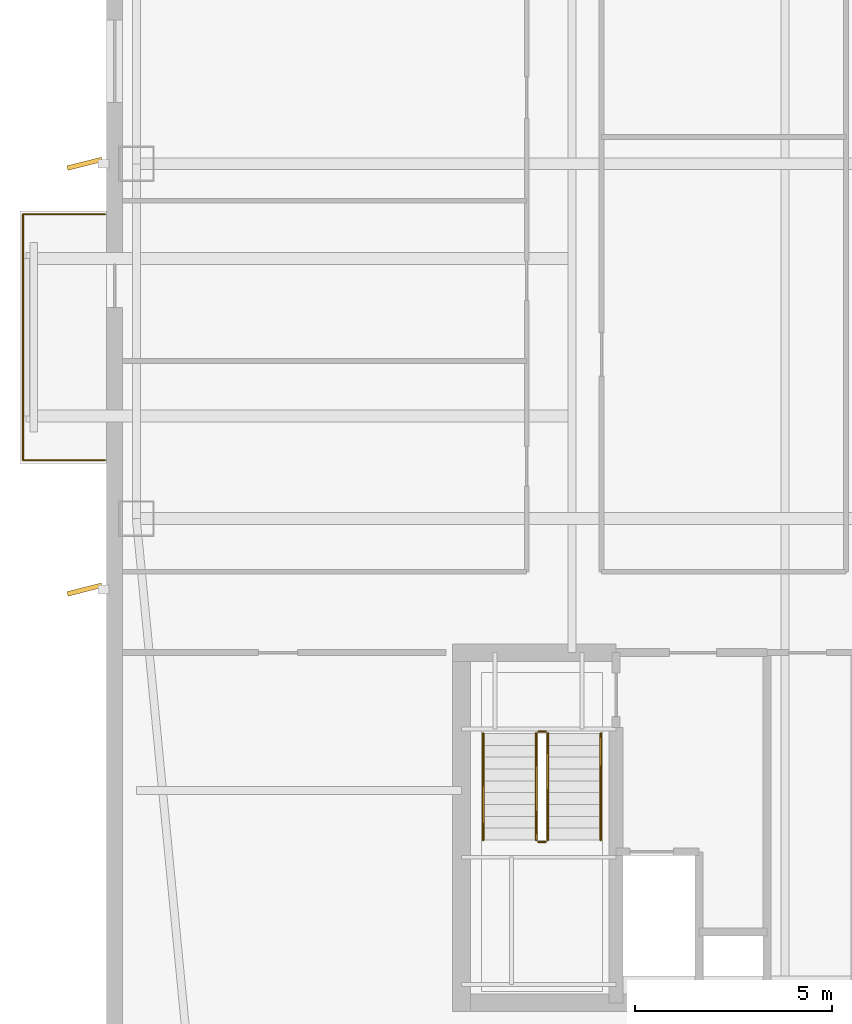
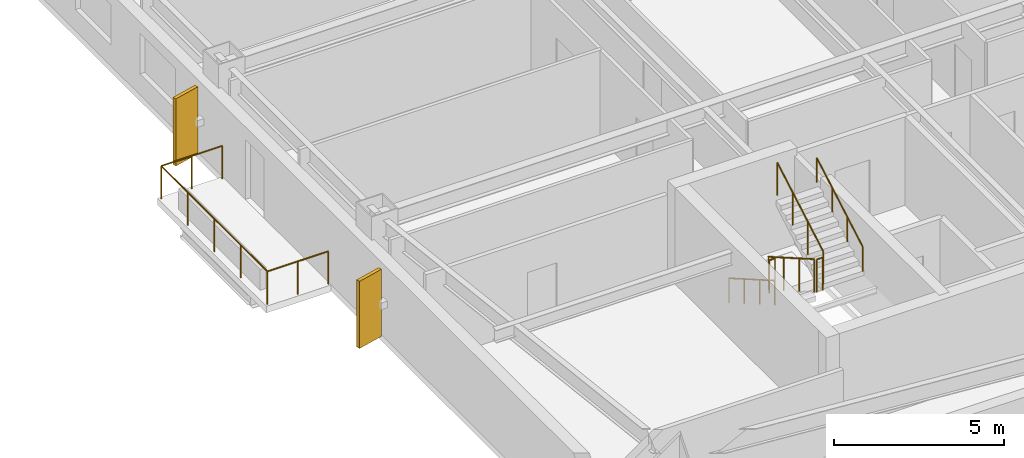
# One storey, part 14 of 18: 7 railings, 2 shading devices.
"""IFC4 building model written with IfcOpenShell, lengths in metres."""

from ifc_helpers import new_model, si_unit, direction, frame, origin, origin_2d, place, context, subcontext, project, spatial, rectangle, circle, extrude, material, layer, layer_set, type_object, element, save


model = new_model("IFC4")

# Units and contexts
model_context = context("Model", 3, precision=1e-05, world=origin(), true_north=direction((0.0, 1.0)))
body_context = subcontext(model_context, "Body", "Model", "MODEL_VIEW")
ifc_project = project(units=[si_unit("LENGTHUNIT", "METRE"), si_unit("AREAUNIT", "SQUARE_METRE"), si_unit("VOLUMEUNIT", "CUBIC_METRE"), si_unit("PLANEANGLEUNIT", "RADIAN"), si_unit("MASSUNIT", "GRAM", prefix="KILO")], contexts=[model_context])

# Site, building, storey
site_placement = place(None, origin())
site = spatial("IfcSite", under=ifc_project, at=site_placement, CompositionType="ELEMENT")
building_placement = place(site_placement, origin())
building = spatial("IfcBuilding", under=site, at=building_placement, Name="Qiaolan Cultural Towers", CompositionType="ELEMENT")
storey_placement = place(building_placement, frame((0.0, 0.0, 195.5)))
storey = spatial("IfcBuildingStorey", under=building, at=storey_placement, Name="L52", CompositionType="ELEMENT", Elevation=195.5)

# Railings
ifc_material_1 = material(Name="Laminated SentryGlas & Stainless Steel S31608 Balustrade", Category="steel")
railing_type_1 = type_object("IfcRailingType", Name="GRD-TERR-1200", PredefinedType="BALUSTRADE", material=ifc_material_1)
railing_1_placement = place(storey_placement, frame((12.75, 26.47998046875, 0.0)))
element("IfcRailing", 1, at=railing_1_placement, inside=storey, type_object=railing_type_1, Name="L52 T1 Tree Balcony Guardrail W", PredefinedType="BALUSTRADE", context=body_context, shape_type="SweptSolid", body=[
    extrude(circle(Radius=0.02392578125, at=origin_2d()), frame((0.0, 0.0, 1.17578125), z_axis=(-1.0, 0.0, 0.0), x_axis=(0.0, -1.0, 0.0)), (0.0, 0.0, 1.0), 2.070068359375),
    extrude(circle(Radius=0.02392578125, at=origin_2d()), frame((-2.070068359375, 0.0, 1.17578125), z_axis=(0.0, 1.0, 0.0), x_axis=(-1.0, 0.0, 0.0)), (0.0, 0.0, 1.0), 6.239990234375),
    extrude(circle(Radius=0.02392578125, at=origin_2d()), frame((-2.070068359375, 6.239990234375, 1.17578125), z_axis=(1.0, 0.0, 0.0), x_axis=(0.0, 1.0, 0.0)), (0.0, 0.0, 1.0), 2.070068359375),
    extrude(circle(Radius=0.02099609375, at=origin_2d()), origin(), (0.0, 0.0, 1.0), 1.15185546875),
    extrude(circle(Radius=0.02099609375, at=origin_2d()), frame((-1.03515625, 0.0, 0.0)), (0.0, 0.0, 1.0), 1.15185546875),
    extrude(circle(Radius=0.02099609375, at=origin_2d()), frame((-2.070068359375, 0.0, 0.0)), (0.0, 0.0, 1.0), 1.15185546875),
    extrude(circle(Radius=0.02099609375, at=origin_2d()), frame((-2.070068359375, 1.56005859375, 0.0)), (0.0, 0.0, 1.0), 1.15185546875),
    extrude(circle(Radius=0.02099609375, at=origin_2d()), frame((-2.070068359375, 3.1201171875, 0.0)), (0.0, 0.0, 1.0), 1.15185546875),
    extrude(circle(Radius=0.02099609375, at=origin_2d()), frame((-2.070068359375, 4.679931640625, 0.0)), (0.0, 0.0, 1.0), 1.15185546875),
    extrude(circle(Radius=0.02099609375, at=origin_2d()), frame((-2.070068359375, 6.239990234375, 0.0)), (0.0, 0.0, 1.0), 1.15185546875),
    extrude(circle(Radius=0.02099609375, at=origin_2d()), frame((-1.03515625, 6.239990234375, 0.0)), (0.0, 0.0, 1.0), 1.15185546875),
    extrude(circle(Radius=0.02099609375, at=origin_2d()), frame((0.0, 6.239990234375, 0.0)), (0.0, 0.0, 1.0), 1.15185546875),
])
ifc_material_2 = material(Name="Galvanized Painted Steel Stair Guardrail", Category="steel")
railing_type_2 = type_object("IfcRailingType", Name="RL-STAIR-GRD", PredefinedType="GUARDRAIL", material=ifc_material_2)
railing_2_placement = place(storey_placement, frame((23.68994140625, 19.550048828125, 0.172607421875)))
element("IfcRailing", 2, at=railing_2_placement, inside=storey, type_object=railing_type_2, Name="L52 ST-W1 stair guard 1", PredefinedType="GUARDRAIL", context=body_context, shape_type="SweptSolid", body=[
    extrude(circle(Radius=0.02392578125, at=origin_2d()), frame((0.0, 0.0, 1.17578125), z_axis=(0.0, -0.866903762492, 0.498475542607), x_axis=(1.0, 0.0, 0.0)), (0.0, 0.0, 1.0), 3.114501953125),
    extrude(circle(Radius=0.02099609375, at=origin_2d()), origin(), (0.0, 0.0, 1.0), 1.15185546875),
    extrude(circle(Radius=0.02099609375, at=origin_2d()), frame((0.0, -0.89990234375, 0.517578125)), (0.0, 0.0, 1.0), 1.15185546875),
    extrude(circle(Radius=0.02099609375, at=origin_2d()), frame((0.0, -1.800048828125, 1.034912109375)), (0.0, 0.0, 1.0), 1.15185546875),
    extrude(circle(Radius=0.02099609375, at=origin_2d()), frame((0.0, -2.699951171875, 1.552490234375)), (0.0, 0.0, 1.0), 1.15185546875),
])
railing_3_placement = place(storey_placement, frame((23.739990234375, 16.800048828125, 1.72509765625)))
element("IfcRailing", 3, at=railing_3_placement, inside=storey, type_object=railing_type_2, Name="L52 ST-W1 stair guard 2", PredefinedType="GUARDRAIL", context=body_context, shape_type="SweptSolid", body=[
    extrude(circle(Radius=0.02392578125, at=origin_2d()), frame((0.0, 0.0, 1.17578125), z_axis=(1.0, 0.0, 0.0), x_axis=(0.0, 1.0, 0.0)), (0.0, 0.0, 1.0), 0.199951171875),
    extrude(circle(Radius=0.02099609375, at=origin_2d()), origin(), (0.0, 0.0, 1.0), 1.15185546875),
    extrude(circle(Radius=0.02099609375, at=origin_2d()), frame((0.199951171875, 0.0, 0.0)), (0.0, 0.0, 1.0), 1.15185546875),
])
railing_4_placement = place(storey_placement, frame((23.989990234375, 16.85009765625, 1.8974609375)))
element("IfcRailing", 4, at=railing_4_placement, inside=storey, type_object=railing_type_2, Name="L52 ST-W1 stair guard 3", PredefinedType="GUARDRAIL", context=body_context, shape_type="SweptSolid", body=[
    extrude(circle(Radius=0.02392578125, at=origin_2d()), frame((0.0, 0.0, 1.17578125), z_axis=(0.0, 0.866903762492, 0.498475542607), x_axis=(-1.0, 0.0, 0.0)), (0.0, 0.0, 1.0), 3.114501953125),
    extrude(circle(Radius=0.02099609375, at=origin_2d()), origin(), (0.0, 0.0, 1.0), 1.15185546875),
    extrude(circle(Radius=0.02099609375, at=origin_2d()), frame((0.0, 0.89990234375, 0.517578125)), (0.0, 0.0, 1.0), 1.15185546875),
    extrude(circle(Radius=0.02099609375, at=origin_2d()), frame((0.0, 1.800048828125, 1.034912109375)), (0.0, 0.0, 1.0), 1.15185546875),
    extrude(circle(Radius=0.02099609375, at=origin_2d()), frame((0.0, 2.699951171875, 1.552490234375)), (0.0, 0.0, 1.0), 1.15185546875),
])
railing_5_placement = place(storey_placement, frame((23.739990234375, 19.60009765625, 0.0)))
element("IfcRailing", 5, at=railing_5_placement, inside=storey, type_object=railing_type_2, Name="L52 ST-W1 stair guard 4", PredefinedType="GUARDRAIL", context=body_context, shape_type="SweptSolid", body=[
    extrude(circle(Radius=0.02392578125, at=origin_2d()), frame((0.0, 0.0, 1.17578125), z_axis=(1.0, 0.0, 0.0), x_axis=(0.0, 1.0, 0.0)), (0.0, 0.0, 1.0), 0.199951171875),
    extrude(circle(Radius=0.02099609375, at=origin_2d()), origin(), (0.0, 0.0, 1.0), 1.15185546875),
    extrude(circle(Radius=0.02099609375, at=origin_2d()), frame((0.199951171875, 0.0, 0.0)), (0.0, 0.0, 1.0), 1.15185546875),
])
ifc_material_3 = material(Name="Stainless Steel S30408 Tubular Handrail", Category="steel")
railing_type_3 = type_object("IfcRailingType", Name="RL-STAIR-HR", PredefinedType="HANDRAIL", material=ifc_material_3)
railing_6_placement = place(storey_placement, frame((22.35009765625, 19.550048828125, 0.172607421875)))
element("IfcRailing", 6, at=railing_6_placement, inside=storey, type_object=railing_type_3, Name="L52 ST-W1 stair handrail 1", PredefinedType="HANDRAIL", context=body_context, shape_type="SweptSolid", body=[
    extrude(circle(Radius=0.02392578125, at=origin_2d()), frame((0.0, 0.0, 0.8759765625), z_axis=(0.0, -0.866903762492, 0.498475542607), x_axis=(1.0, 0.0, 0.0)), (0.0, 0.0, 1.0), 3.114501953125),
    extrude(circle(Radius=0.02099609375, at=origin_2d()), origin(), (0.0, 0.0, 1.0), 0.851806640625),
    extrude(circle(Radius=0.02099609375, at=origin_2d()), frame((0.0, -0.89990234375, 0.517578125)), (0.0, 0.0, 1.0), 0.851806640625),
    extrude(circle(Radius=0.02099609375, at=origin_2d()), frame((0.0, -1.800048828125, 1.034912109375)), (0.0, 0.0, 1.0), 0.851806640625),
    extrude(circle(Radius=0.02099609375, at=origin_2d()), frame((0.0, -2.699951171875, 1.552490234375)), (0.0, 0.0, 1.0), 0.851806640625),
])
railing_7_placement = place(storey_placement, frame((25.330078125, 16.85009765625, 1.8974609375)))
element("IfcRailing", 7, at=railing_7_placement, inside=storey, type_object=railing_type_3, Name="L52 ST-W1 stair handrail 2", PredefinedType="HANDRAIL", context=body_context, shape_type="SweptSolid", body=[
    extrude(circle(Radius=0.02392578125, at=origin_2d()), frame((0.0, 0.0, 0.8759765625), z_axis=(0.0, 0.866903762492, 0.498475542607), x_axis=(-1.0, 0.0, 0.0)), (0.0, 0.0, 1.0), 3.114501953125),
    extrude(circle(Radius=0.02099609375, at=origin_2d()), origin(), (0.0, 0.0, 1.0), 0.851806640625),
    extrude(circle(Radius=0.02099609375, at=origin_2d()), frame((0.0, 0.89990234375, 0.517578125)), (0.0, 0.0, 1.0), 0.851806640625),
    extrude(circle(Radius=0.02099609375, at=origin_2d()), frame((0.0, 1.800048828125, 1.034912109375)), (0.0, 0.0, 1.0), 0.851806640625),
    extrude(circle(Radius=0.02099609375, at=origin_2d()), frame((0.0, 2.699951171875, 1.552490234375)), (0.0, 0.0, 1.0), 0.851806640625),
])

# Shading devices
ifc_material_4 = material(Name="Pierced Warm Terracotta Acoustic Fin", Category="masonry")
ifc_layer = layer(ifc_material_4, 0.1201171875)
ifc_layer_set = layer_set([ifc_layer], Name="Pierced Warm Terracotta Acoustic Fin")
shading_device_type = type_object("IfcShadingDeviceType", Name="SHD-FIN-PIERCED", PredefinedType="USERDEFINED", material=ifc_layer_set)
for number, where, z_axis, x_axis, name in (
    (8, (12.239990234375, 23.199951171875, 0.10009765625), (0.0, 0.0, 1.0), (0.969891617581, 0.243536958479, 0.0), "L52 T1 Expressive Precast Vertical Fin W1"),
    (9, (12.239990234375, 34.0, 0.10009765625), (0.0, 0.0, 1.0), (0.969891617581, 0.243536958479, 0.0), "L52 T1 Expressive Precast Vertical Fin W2"),
):
    element("IfcShadingDevice", number, at=place(storey_placement, frame(where, z_axis=z_axis, x_axis=x_axis)), inside=storey, type_object=shading_device_type, Name=name, ObjectType="FIN", PredefinedType="USERDEFINED", context=body_context, shape_type="SweptSolid", body=[
        extrude(rectangle(XDim=0.89990234375, YDim=0.1201171875, at=origin_2d()), origin(), (0.0, 0.0, 1.0), 2.409912109375),
    ])

save(model, "model.ifc")
